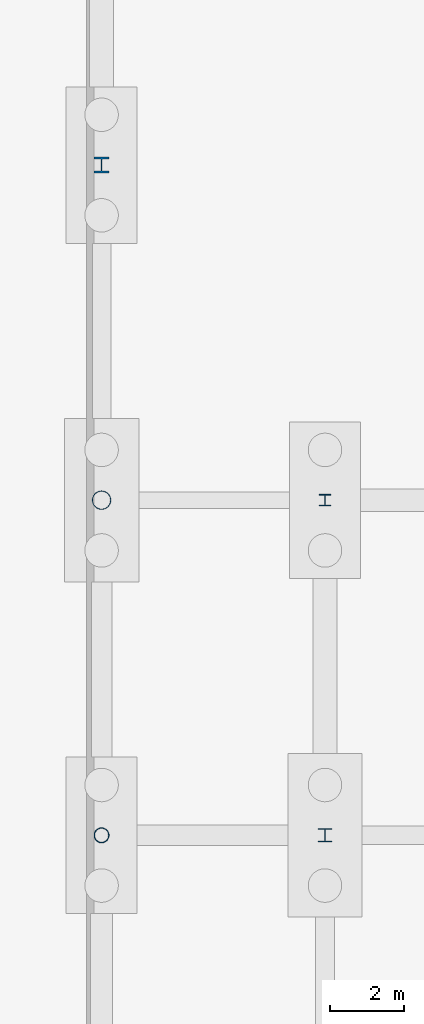
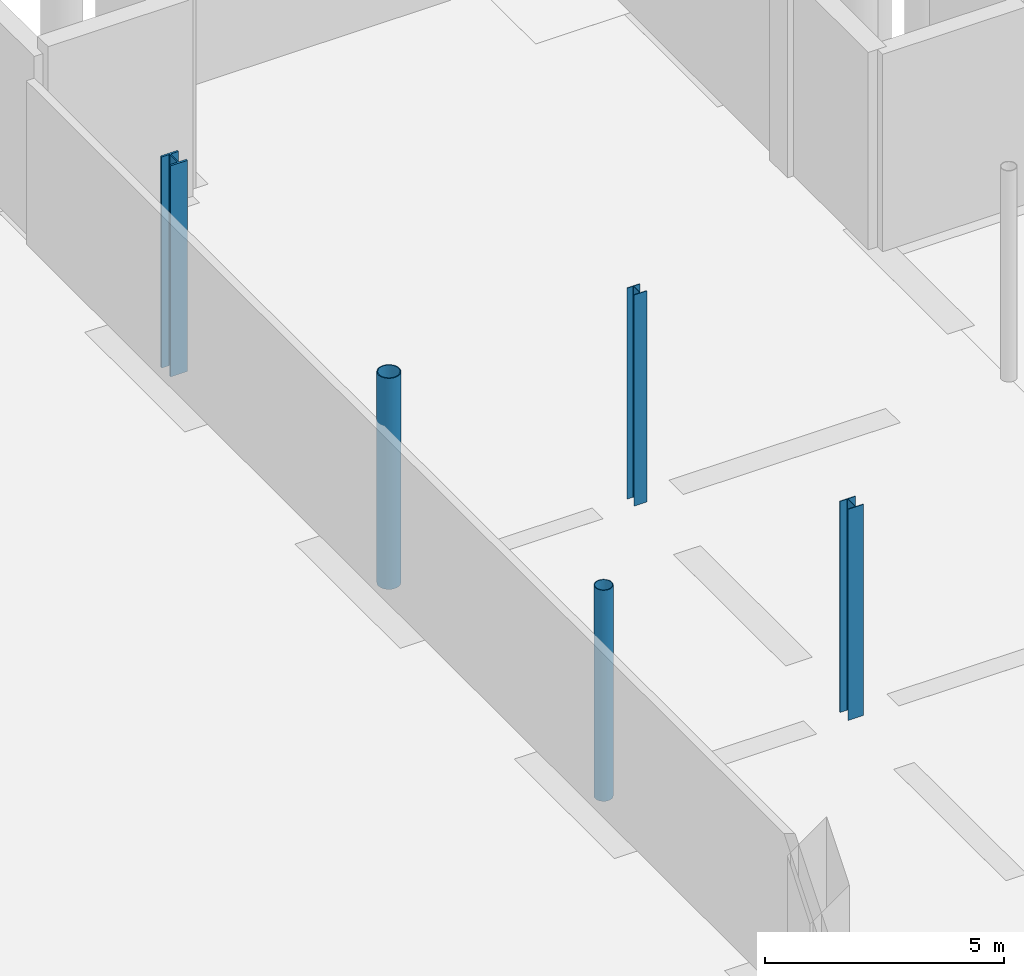
# One storey, part 18 of 58: 5 columns.
"""IFC4 building model written with IfcOpenShell, lengths in metres."""

from ifc_helpers import new_model, si_unit, direction, frame, origin, origin_2d, place, context, subcontext, project, spatial, hollow_circle, i_section, extrude, material, material_profile, profile_set, type_object, element, save


model = new_model("IFC4")

# Units and contexts
model_context = context("Model", 3, precision=1e-05, world=origin(), true_north=direction((0.0, 1.0)))
body_context = subcontext(model_context, "Body", "Model", "MODEL_VIEW")
ifc_project = project(units=[si_unit("LENGTHUNIT", "METRE"), si_unit("AREAUNIT", "SQUARE_METRE"), si_unit("VOLUMEUNIT", "CUBIC_METRE"), si_unit("PLANEANGLEUNIT", "RADIAN"), si_unit("MASSUNIT", "GRAM", prefix="KILO")], contexts=[model_context])

# Site, building, storey
site_placement = place(None, origin())
site = spatial("IfcSite", under=ifc_project, at=site_placement, CompositionType="ELEMENT")
building_placement = place(site_placement, origin())
building = spatial("IfcBuilding", under=site, at=building_placement, Name="Qamarlyn Nura Convention Centre", CompositionType="ELEMENT")
storey_placement = place(building_placement, frame((0.0, 0.0, -5.39990234375)))
storey = spatial("IfcBuildingStorey", under=building, at=storey_placement, Name="B01", CompositionType="ELEMENT", Elevation=-5.39990234375)

# Columns
ifc_material_1 = material(Name="Pearl-white PVDF steel ASTM A500 Grade C", Category="steel")
ifc_material_profile_1 = material_profile(ifc_material_1, hollow_circle(Radius=0.25390625, WallThickness=0.02001953125, at=origin_2d()), Name="CHS508X20")
ifc_profile_set_1 = profile_set([ifc_material_profile_1], Name="Pearl-white PVDF steel ASTM A500 Grade C")
column_type_1 = type_object("IfcColumnType", Name="COL-HALL-1", PredefinedType="COLUMN", material=ifc_profile_set_1)
column_1_placement = place(storey_placement, frame((120.0, 45.0, 0.0), z_axis=(0.0, 0.0, 1.0), x_axis=(1.0, 0.0, 0.0)))
element("IfcColumn", 1, at=column_1_placement, inside=storey, type_object=column_type_1, Name="B01 column 9/F", PredefinedType="COLUMN", context=body_context, shape_type="SweptSolid", body=[
    extrude(hollow_circle(Radius=0.25390625, WallThickness=0.02001953125, at=origin_2d()), origin(), (0.0, 0.0, 1.0), 5.39990234375),
])
ifc_material_2 = material(Name="Steel ASTM A992", Category="steel")
ifc_material_profile_2 = material_profile(ifc_material_2, i_section(OverallWidth=0.408935546875, OverallDepth=0.425048828125, WebThickness=0.030517578125, FlangeThickness=0.049072265625, FilletRadius=0.02001953125, at=origin_2d()), Name="W360X421")
ifc_profile_set_2 = profile_set([ifc_material_profile_2], Name="Steel ASTM A992")
column_type_2 = type_object("IfcColumnType", Name="COL-MEGA-1", PredefinedType="COLUMN", material=ifc_profile_set_2)
column_2_placement = place(storey_placement, frame((120.0, 54.0, 0.0), z_axis=(0.0, 0.0, 1.0), x_axis=(1.0, 0.0, 0.0)))
element("IfcColumn", 2, at=column_2_placement, inside=storey, type_object=column_type_2, Name="B01 column 9/G", PredefinedType="COLUMN", context=body_context, shape_type="SweptSolid", body=[
    extrude(i_section(OverallWidth=0.408935546875, OverallDepth=0.425048828125, WebThickness=0.030517578125, FlangeThickness=0.049072265625, FilletRadius=0.02001953125, at=origin_2d()), origin(), (0.0, 0.0, 1.0), 5.39990234375),
])
ifc_material_profile_3 = material_profile(ifc_material_1, hollow_circle(Radius=0.203125, WallThickness=0.01611328125, at=origin_2d()), Name="CHS406.4X16")
ifc_profile_set_3 = profile_set([ifc_material_profile_3], Name="Pearl-white PVDF steel ASTM A500 Grade C")
column_type_3 = type_object("IfcColumnType", Name="COL-TUBE-1", PredefinedType="COLUMN", material=ifc_profile_set_3)
column_3_placement = place(storey_placement, frame((120.0, 36.0, 0.0), z_axis=(0.0, 0.0, 1.0), x_axis=(1.0, 0.0, 0.0)))
element("IfcColumn", 3, at=column_3_placement, inside=storey, type_object=column_type_3, Name="B01 column 9/E", PredefinedType="COLUMN", context=body_context, shape_type="SweptSolid", body=[
    extrude(hollow_circle(Radius=0.203125, WallThickness=0.01611328125, at=origin_2d()), origin(), (0.0, 0.0, 1.0), 5.39990234375),
])
ifc_material_profile_4 = material_profile(ifc_material_2, i_section(OverallWidth=0.368896484375, OverallDepth=0.35595703125, WebThickness=0.01123046875, FlangeThickness=0.01806640625, FilletRadius=0.014892578125, at=origin_2d()), Name="W360X134")
ifc_profile_set_4 = profile_set([ifc_material_profile_4], Name="Steel ASTM A992")
column_type_4 = type_object("IfcColumnType", Name="COL-WING-3", PredefinedType="COLUMN", material=ifc_profile_set_4)
column_4_placement = place(storey_placement, frame((126.0, 36.0, 0.0), z_axis=(0.0, 0.0, 1.0), x_axis=(1.0, 0.0, 0.0)))
element("IfcColumn", 4, at=column_4_placement, inside=storey, type_object=column_type_4, Name="B01 column 10/E", PredefinedType="COLUMN", context=body_context, shape_type="SweptSolid", body=[
    extrude(i_section(OverallWidth=0.368896484375, OverallDepth=0.35595703125, WebThickness=0.01123046875, FlangeThickness=0.01806640625, FilletRadius=0.014892578125, at=origin_2d()), origin(), (0.0, 0.0, 1.0), 5.39990234375),
])
ifc_material_profile_5 = material_profile(ifc_material_2, i_section(OverallWidth=0.304931640625, OverallDepth=0.30810546875, WebThickness=0.010009765625, FlangeThickness=0.015380859375, FilletRadius=0.014892578125, at=origin_2d()), Name="W310X97")
ifc_profile_set_5 = profile_set([ifc_material_profile_5], Name="Steel ASTM A992")
column_type_5 = type_object("IfcColumnType", Name="COL-WING-4", PredefinedType="COLUMN", material=ifc_profile_set_5)
column_5_placement = place(storey_placement, frame((126.0, 45.0, 0.0), z_axis=(0.0, 0.0, 1.0), x_axis=(1.0, 0.0, 0.0)))
element("IfcColumn", 5, at=column_5_placement, inside=storey, type_object=column_type_5, Name="B01 column 10/F", PredefinedType="COLUMN", context=body_context, shape_type="SweptSolid", body=[
    extrude(i_section(OverallWidth=0.304931640625, OverallDepth=0.30810546875, WebThickness=0.010009765625, FlangeThickness=0.015380859375, FilletRadius=0.014892578125, at=origin_2d()), origin(), (0.0, 0.0, 1.0), 5.39990234375),
])

save(model, "model.ifc")
